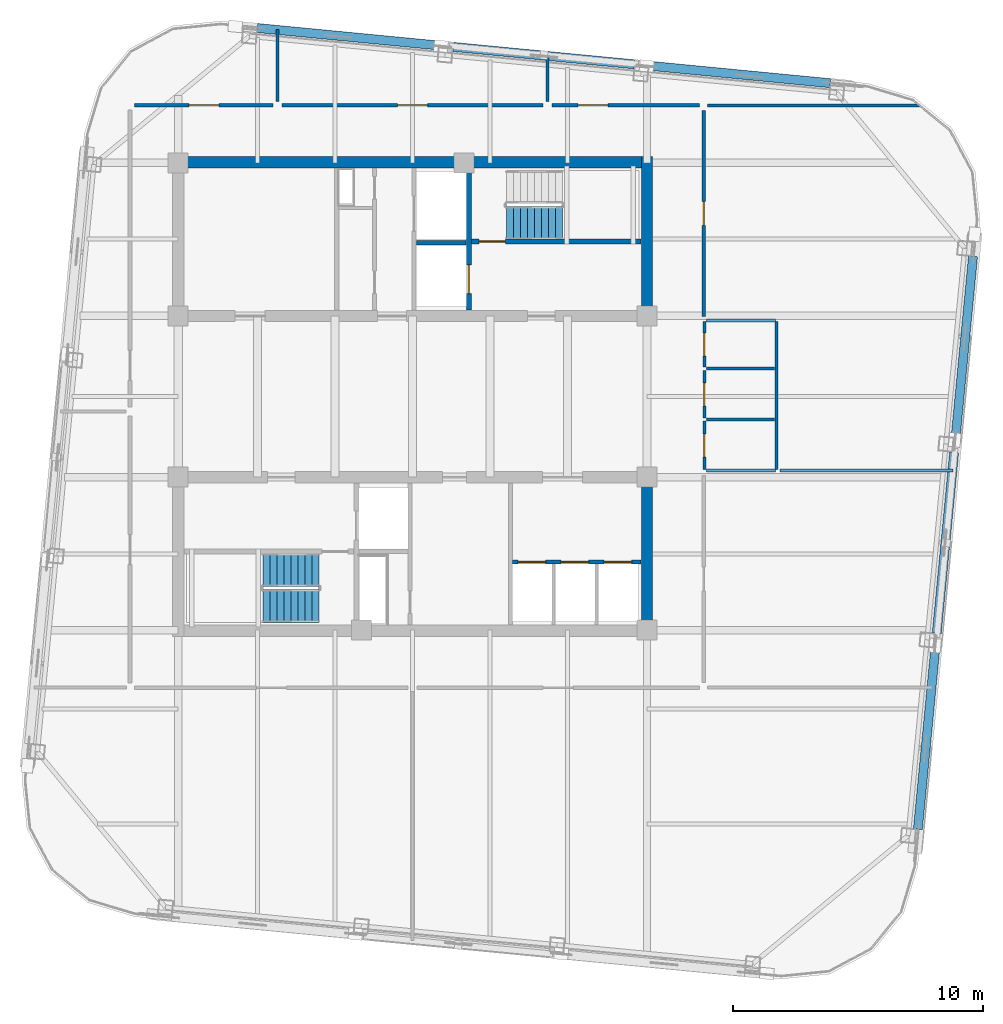
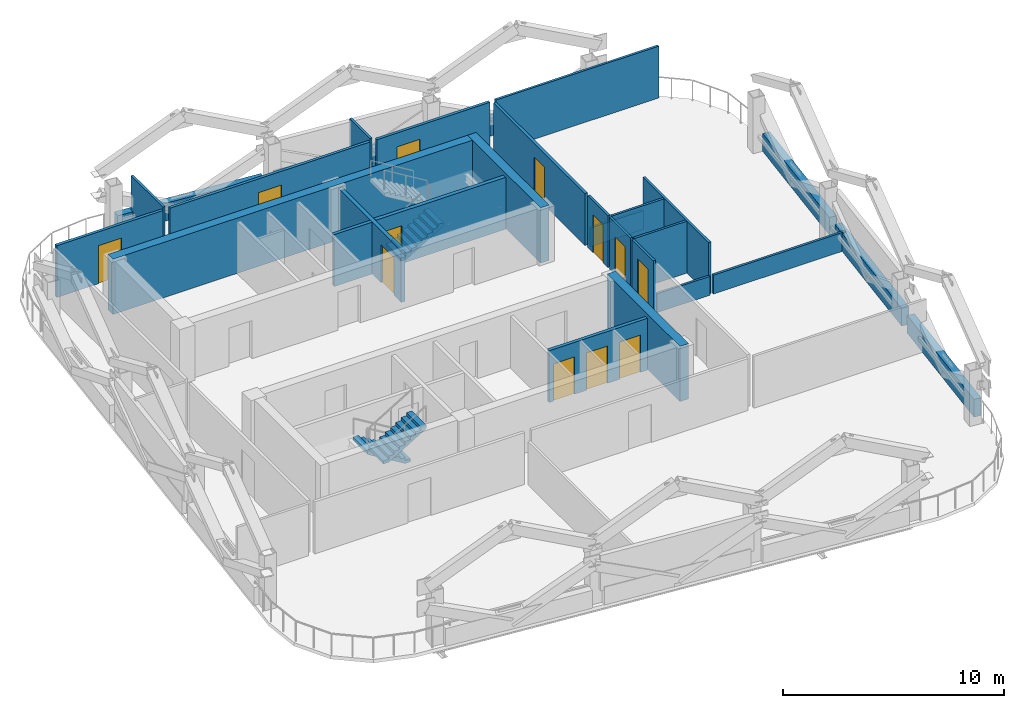
# One storey, part 5 of 10: 29 walls, 12 doors, 3 stair flights, 12 openings, 2 elements without a shape of their own.
"""IFC4 building model written with IfcOpenShell, lengths in metres."""

from ifc_helpers import new_model, si_unit, direction, frame, frame_2d, origin, place, context, subcontext, project, spatial, polyline, rectangle, outline, extrude, material, layer, layer_set, type_object, element, fill, aggregate, save


model = new_model("IFC4")

# Units and contexts
model_context = context("Model", 3, precision=1e-05, world=origin(), true_north=direction((0.0, 1.0)))
body_context = subcontext(model_context, "Body", "Model", "MODEL_VIEW")
ifc_project = project(units=[si_unit("LENGTHUNIT", "METRE"), si_unit("AREAUNIT", "SQUARE_METRE"), si_unit("VOLUMEUNIT", "CUBIC_METRE"), si_unit("PLANEANGLEUNIT", "RADIAN"), si_unit("MASSUNIT", "GRAM", prefix="KILO")], contexts=[model_context])

# Site, building, storey
site_placement = place(None, origin())
site = spatial("IfcSite", under=ifc_project, at=site_placement, CompositionType="ELEMENT")
building_placement = place(site_placement, origin())
building = spatial("IfcBuilding", under=site, at=building_placement, Name="Qhalaya Broadcast Tower", CompositionType="ELEMENT")
storey_placement = place(building_placement, frame((0.0, 0.0, 267.25)))
storey = spatial("IfcBuildingStorey", under=building, at=storey_placement, Name="L79", CompositionType="ELEMENT", Elevation=267.25)

# Wall, opening, door
ifc_material_1 = material(Name="Gypsum Acoustic Partition")
ifc_layer_1 = layer(ifc_material_1, 0.14990234375, Name="Gypsum Acoustic Partition")
ifc_layer_set_1 = layer_set([ifc_layer_1], Name="Gypsum Acoustic Partition")
wall_type_1 = type_object("IfcWallType", Name="Corridor & Tenancy Acoustic Partition 150", PredefinedType="PARTITIONING", material=ifc_layer_set_1)
wall_1_placement = place(storey_placement, frame((-11.1201171875, 12.25, 0.0), z_axis=(0.0, 0.0, 1.0), x_axis=(1.0, 0.0, 0.0)))
wall_1 = element("IfcWall", 1, at=wall_1_placement, inside=storey, type_object=wall_type_1, Name="L79 Partition Wall W-COR-01", PredefinedType="PARTITIONING", context=body_context, shape_type="SweptSolid", body=[
    extrude(rectangle(XDim=5.5400390625, YDim=0.14990234375, at=frame_2d((2.77001953125, 0.0))), origin(), (0.0, 0.0, 1.0), 2.860107421875),
])
opening_1_placement = place(wall_1_placement, frame((2.169921875, 0.0, 0.0)))
opening_1 = element("IfcOpeningElement", 2, at=opening_1_placement, cuts=wall_1, Name="Opening D11", PredefinedType="OPENING", context=body_context, shape_type="SweptSolid", body=[
    extrude(rectangle(XDim=1.199951171875, YDim=2.10009765625, at=frame_2d((0.60009765625, 1.050048828125))), frame((0.0, 0.0869140625, 0.0), z_axis=(0.0, -1.0, 0.0), x_axis=(1.0, 0.0, 0.0)), (0.0, 0.0, 1.0), 0.173828125),
])
ifc_material_2 = material(Name="Anodised Aluminium Glazed Door", Category="aluminium")
door_type_1 = type_object("IfcDoorType", Name="Conference, Boardroom & Studio Control Door D11", OperationType="NOTDEFINED", PredefinedType="DOOR", material=ifc_material_2)
door_1_placement = place(opening_1_placement, origin())
door_1 = element("IfcDoor", 3, at=door_1_placement, inside=storey, type_object=door_type_1, Name="L79 Door D-RM01", OperationType="SINGLE_SWING_LEFT", OverallHeight=2.10009765625, OverallWidth=1.199951171875, PredefinedType="DOOR", context=body_context, shape_type="SweptSolid", body=[
    extrude(rectangle(XDim=1.199951171875, YDim=2.10009765625, at=frame_2d((0.60009765625, 1.050048828125))), frame((0.0, 0.02490234375, 0.0), z_axis=(0.0, -1.0, 0.0), x_axis=(1.0, 0.0, 0.0)), (0.0, 0.0, 1.0), 0.050048828125),
])
fill(opening_1, door_1)

wall_2_placement = place(storey_placement, frame((-5.219970703125, 12.25, 0.0), z_axis=(0.0, 0.0, 1.0), x_axis=(1.0, 0.0, 0.0)))
wall_2 = element("IfcWall", 4, at=wall_2_placement, inside=storey, type_object=wall_type_1, Name="L79 Partition Wall W-COR-02", PredefinedType="PARTITIONING", context=body_context, shape_type="SweptSolid", body=[
    extrude(rectangle(XDim=10.43994140625, YDim=0.14990234375, at=frame_2d((5.219970703125, 0.0))), origin(), (0.0, 0.0, 1.0), 2.860107421875),
])
opening_2_placement = place(wall_2_placement, frame((4.6201171875, 0.0, 0.0)))
opening_2 = element("IfcOpeningElement", 5, at=opening_2_placement, cuts=wall_2, Name="Opening D11", PredefinedType="OPENING", context=body_context, shape_type="SweptSolid", body=[
    extrude(rectangle(XDim=1.199951171875, YDim=2.10009765625, at=frame_2d((0.60009765625, 1.050048828125))), frame((0.0, 0.0869140625, 0.0), z_axis=(0.0, -1.0, 0.0), x_axis=(1.0, 0.0, 0.0)), (0.0, 0.0, 1.0), 0.173828125),
])
door_2_placement = place(opening_2_placement, origin())
door_2 = element("IfcDoor", 6, at=door_2_placement, inside=storey, type_object=door_type_1, Name="L79 Door D-RM02", OperationType="SINGLE_SWING_RIGHT", OverallHeight=2.10009765625, OverallWidth=1.199951171875, PredefinedType="DOOR", context=body_context, shape_type="SweptSolid", body=[
    extrude(rectangle(XDim=1.199951171875, YDim=2.10009765625, at=frame_2d((0.60009765625, 1.050048828125))), frame((0.0, 0.02490234375, 0.0), z_axis=(0.0, -1.0, 0.0), x_axis=(1.0, 0.0, 0.0)), (0.0, 0.0, 1.0), 0.050048828125),
])
fill(opening_2, door_2)

wall_3_placement = place(storey_placement, frame((5.580078125, 12.25, 0.0), z_axis=(0.0, 0.0, 1.0), x_axis=(1.0, 0.0, 0.0)))
wall_3 = element("IfcWall", 7, at=wall_3_placement, inside=storey, type_object=wall_type_1, Name="L79 Partition Wall W-COR-03", PredefinedType="PARTITIONING", context=body_context, shape_type="SweptSolid", body=[
    extrude(rectangle(XDim=5.889892578125, YDim=0.14990234375, at=frame_2d((2.94482421875, 0.0))), origin(), (0.0, 0.0, 1.0), 2.860107421875),
])
opening_3_placement = place(wall_3_placement, frame((1.044921875, 0.0, 0.0)))
opening_3 = element("IfcOpeningElement", 8, at=opening_3_placement, cuts=wall_3, Name="Opening D11", PredefinedType="OPENING", context=body_context, shape_type="SweptSolid", body=[
    extrude(rectangle(XDim=1.199951171875, YDim=2.10009765625, at=frame_2d((0.60009765625, 1.050048828125))), frame((0.0, 0.0869140625, 0.0), z_axis=(0.0, -1.0, 0.0), x_axis=(1.0, 0.0, 0.0)), (0.0, 0.0, 1.0), 0.173828125),
])
door_3_placement = place(opening_3_placement, origin())
door_3 = element("IfcDoor", 9, at=door_3_placement, inside=storey, type_object=door_type_1, Name="L79 Door D-RM03", OperationType="SINGLE_SWING_LEFT", OverallHeight=2.10009765625, OverallWidth=1.199951171875, PredefinedType="DOOR", context=body_context, shape_type="SweptSolid", body=[
    extrude(rectangle(XDim=1.199951171875, YDim=2.10009765625, at=frame_2d((0.60009765625, 1.050048828125))), frame((0.0, 0.02490234375, 0.0), z_axis=(0.0, -1.0, 0.0), x_axis=(1.0, 0.0, 0.0)), (0.0, 0.0, 1.0), 0.050048828125),
])
fill(opening_3, door_3)

wall_4_placement = place(storey_placement, frame((11.64990234375, 3.800048828125, 0.0), z_axis=(0.0, 0.0, 1.0), x_axis=(0.0, 1.0, 0.0)))
wall_4 = element("IfcWall", 10, at=wall_4_placement, inside=storey, type_object=wall_type_1, Name="L79 Partition Wall W-COR-09", PredefinedType="PARTITIONING", context=body_context, shape_type="SweptSolid", body=[
    extrude(rectangle(XDim=8.25, YDim=0.14990234375, at=frame_2d((4.125, 0.0))), origin(), (0.0, 0.0, 1.0), 2.860107421875),
])
opening_4_placement = place(wall_4_placement, frame((3.64990234375, 0.0, 0.0)))
opening_4 = element("IfcOpeningElement", 11, at=opening_4_placement, cuts=wall_4, Name="Opening D10", PredefinedType="OPENING", context=body_context, shape_type="SweptSolid", body=[
    extrude(rectangle(XDim=0.949951171875, YDim=2.10009765625, at=frame_2d((0.47509765625, 1.050048828125))), frame((0.0, 0.0869140625, 0.0), z_axis=(0.0, -1.0, 0.0), x_axis=(1.0, 0.0, 0.0)), (0.0, 0.0, 1.0), 0.173828125),
])
ifc_material_3 = material(Name="Timber Veneer Acoustic Door", Category="wood")
door_type_2 = type_object("IfcDoorType", Name="Cellular Office & Edit Booth Door D10", OperationType="NOTDEFINED", PredefinedType="DOOR", material=ifc_material_3)
door_4_placement = place(opening_4_placement, origin())
door_4 = element("IfcDoor", 12, at=door_4_placement, inside=storey, type_object=door_type_2, Name="L79 Door D-RM09", OperationType="SINGLE_SWING_LEFT", OverallHeight=2.10009765625, OverallWidth=0.949951171875, PredefinedType="DOOR", context=body_context, shape_type="SweptSolid", body=[
    extrude(rectangle(XDim=0.949951171875, YDim=2.10009765625, at=frame_2d((0.47509765625, 1.050048828125))), frame((0.0, 0.02490234375, 0.0), z_axis=(0.0, -1.0, 0.0), x_axis=(1.0, 0.0, 0.0)), (0.0, 0.0, 1.0), 0.050048828125),
])
fill(opening_4, door_4)

# Walls
ifc_material_4 = material(Name="Precast Concrete C40/50", Category="concrete")
ifc_layer_2 = layer(ifc_material_4, 0.360107421875, Name="Precast Concrete C40/50")
ifc_layer_set_2 = layer_set([ifc_layer_2], Name="Precast Concrete C40/50")
wall_type_2 = type_object("IfcWallType", Name="Insulated Precast Terracotta Exterior Wall 360", PredefinedType="SOLIDWALL", material=ifc_layer_set_2)
wall_5_placement = place(storey_placement, frame((22.421142578125, 6.207275390625, 0.0), z_axis=(0.0, 0.0, 1.0), x_axis=(-0.095826806958, -0.995398022435, 0.0)))
element("IfcWall", 13, at=wall_5_placement, inside=storey, type_object=wall_type_2, Name="L79 Exoskeleton Diagrid Infill Wall E1", PredefinedType="SOLIDWALL", context=body_context, shape_type="SweptSolid", body=[
    extrude(rectangle(XDim=7.27880859375, YDim=0.360107421875, at=frame_2d((3.639404296875, 0.0))), origin(), (0.0, 0.0, 1.0), 0.97998046875),
])
wall_6_placement = place(storey_placement, frame((21.666015625, -1.63525390625, 0.0), z_axis=(0.0, 0.0, 1.0), x_axis=(-0.095853887303, -0.995395415043, 0.0)))
element("IfcWall", 14, at=wall_6_placement, inside=storey, type_object=wall_type_2, Name="L79 Exoskeleton Diagrid Infill Wall E2", PredefinedType="SOLIDWALL", context=body_context, shape_type="SweptSolid", body=[
    extrude(rectangle(XDim=7.2666015625, YDim=0.360107421875, at=frame_2d((3.63330078125, 0.0))), origin(), (0.0, 0.0, 1.0), 0.97998046875),
])
wall_7_placement = place(storey_placement, frame((20.912109375, -9.465576171875, 0.0), z_axis=(0.0, 0.0, 1.0), x_axis=(-0.095863240394, -0.995394514321, 0.0)))
element("IfcWall", 15, at=wall_7_placement, inside=storey, type_object=wall_type_2, Name="L79 Exoskeleton Diagrid Infill Wall E3", PredefinedType="SOLIDWALL", context=body_context, shape_type="SweptSolid", body=[
    extrude(rectangle(XDim=7.278564453125, YDim=0.360107421875, at=frame_2d((3.63916015625, 0.0))), origin(), (0.0, 0.0, 1.0), 0.97998046875),
])
wall_8_placement = place(storey_placement, frame((-6.207275390625, 15.34130859375, 0.0), z_axis=(0.0, 0.0, 1.0), x_axis=(0.99539482255, -0.095860039857, 0.0)))
element("IfcWall", 16, at=wall_8_placement, inside=storey, type_object=wall_type_2, Name="L79 Exoskeleton Diagrid Infill Wall N1", PredefinedType="SOLIDWALL", context=body_context, shape_type="SweptSolid", body=[
    extrude(rectangle(XDim=7.27880859375, YDim=0.360107421875, at=frame_2d((3.639404296875, 0.0))), origin(), (0.0, 0.0, 1.0), 0.97998046875),
])
wall_9_placement = place(storey_placement, frame((1.63525390625, 14.5859375, 0.0), z_axis=(0.0, 0.0, 1.0), x_axis=(0.995398620126, -0.095820598258, 0.0)))
element("IfcWall", 17, at=wall_9_placement, inside=storey, type_object=wall_type_2, Name="L79 Exoskeleton Diagrid Infill Wall N2", PredefinedType="SOLIDWALL", context=body_context, shape_type="SweptSolid", body=[
    extrude(rectangle(XDim=7.2666015625, YDim=0.360107421875, at=frame_2d((3.63330078125, 0.0))), origin(), (0.0, 0.0, 1.0), 0.97998046875),
])
wall_10_placement = place(storey_placement, frame((9.465576171875, 13.83203125, 0.0), z_axis=(0.0, 0.0, 1.0), x_axis=(0.99539771442, -0.095830006406, 0.0)))
element("IfcWall", 18, at=wall_10_placement, inside=storey, type_object=wall_type_2, Name="L79 Exoskeleton Diagrid Infill Wall N3", PredefinedType="SOLIDWALL", context=body_context, shape_type="SweptSolid", body=[
    extrude(rectangle(XDim=7.278564453125, YDim=0.360107421875, at=frame_2d((3.63916015625, 0.0))), origin(), (0.0, 0.0, 1.0), 0.97998046875),
])

# Wall, opening, door
ifc_material_5 = material(Name="Concrete C50/60", Category="concrete")
ifc_layer_3 = layer(ifc_material_5, 0.199951171875, Name="Concrete C50/60")
ifc_layer_set_3 = layer_set([ifc_layer_3], Name="Concrete C50/60")
wall_type_3 = type_object("IfcWallType", Name="Load-Bearing Stair Shaft Wall 200", PredefinedType="SHEAR", material=ifc_layer_set_3)
wall_11_placement = place(storey_placement, frame((2.360107421875, 6.804931640625, 0.0), z_axis=(0.0, 0.0, 1.0), x_axis=(1.0, 0.0, 0.0)))
wall_11 = element("IfcWall", 19, at=wall_11_placement, inside=storey, type_object=wall_type_3, Name="L79 Stair Core Shear Wall NCW-ST1", PredefinedType="SHEAR", context=body_context, shape_type="SweptSolid", body=[
    extrude(rectangle(XDim=6.769775390625, YDim=0.199951171875, at=frame_2d((3.384765625, 0.0))), origin(), (0.0, 0.0, 1.0), 2.860107421875),
])
opening_5_placement = place(wall_11_placement, frame((0.300048828125, 0.0, 0.0)))
opening_5 = element("IfcOpeningElement", 20, at=opening_5_placement, cuts=wall_11, Name="Opening D03", PredefinedType="OPENING", context=body_context, shape_type="SweptSolid", body=[
    extrude(rectangle(XDim=1.050048828125, YDim=2.080078125, at=frame_2d((0.52490234375, 1.0400390625))), frame((0.0, 0.112060546875, 0.0), z_axis=(0.0, -1.0, 0.0), x_axis=(1.0, 0.0, 0.0)), (0.0, 0.0, 1.0), 0.223876953125),
])
ifc_material_6 = material(Name="Fire-Rated Steel Door", Category="steel")
door_type_3 = type_object("IfcDoorType", Name="Core Stair Protected Fire Door D03", OperationType="NOTDEFINED", PredefinedType="DOOR", material=ifc_material_6)
door_5_placement = place(opening_5_placement, origin())
door_5 = element("IfcDoor", 21, at=door_5_placement, inside=storey, type_object=door_type_3, Name="L79 Door D-NST1", OperationType="SINGLE_SWING_LEFT", OverallHeight=2.080078125, OverallWidth=1.050048828125, PredefinedType="DOOR", context=body_context, shape_type="SweptSolid", body=[
    extrude(rectangle(XDim=1.050048828125, YDim=2.080078125, at=frame_2d((0.52490234375, 1.0400390625))), frame((0.0, 0.02490234375, 0.0), z_axis=(0.0, -1.0, 0.0), x_axis=(1.0, 0.0, 0.0)), (0.0, 0.0, 1.0), 0.050048828125),
])
fill(opening_5, door_5)

wall_12_placement = place(storey_placement, frame((2.25, 4.070068359375, 0.0), z_axis=(0.0, 0.0, 1.0), x_axis=(0.0, 1.0, 0.0)))
wall_12 = element("IfcWall", 22, at=wall_12_placement, inside=storey, type_object=wall_type_3, Name="L79 Stair Core Shear Wall NCW-FF", PredefinedType="SHEAR", context=body_context, shape_type="SweptSolid", body=[
    extrude(rectangle(XDim=5.659912109375, YDim=0.199951171875, at=frame_2d((2.830078125, 0.0))), origin(), (0.0, 0.0, 1.0), 2.860107421875),
])
opening_6_placement = place(wall_12_placement, frame((0.64990234375, 0.0, 0.0)))
opening_6 = element("IfcOpeningElement", 23, at=opening_6_placement, cuts=wall_12, Name="Opening LD2", PredefinedType="OPENING", context=body_context, shape_type="SweptSolid", body=[
    extrude(rectangle(XDim=1.14990234375, YDim=2.080078125, at=frame_2d((0.574951171875, 1.0400390625))), frame((0.0, 0.112060546875, 0.0), z_axis=(0.0, -1.0, 0.0), x_axis=(1.0, 0.0, 0.0)), (0.0, 0.0, 1.0), 0.223876953125),
])
ifc_material_7 = material(Name="Brushed Stainless Steel Lift Door", Category="steel")
door_type_4 = type_object("IfcDoorType", Name="Firefighting Lift Sliding Landing Door LD2", OperationType="DOUBLE_DOOR_SLIDING", PredefinedType="DOOR", material=ifc_material_7)
door_6_placement = place(opening_6_placement, origin())
door_6 = element("IfcDoor", 24, at=door_6_placement, inside=storey, type_object=door_type_4, Name="L79 Door LD-FF1", OperationType="DOUBLE_DOOR_SLIDING", OverallHeight=2.080078125, OverallWidth=1.14990234375, PredefinedType="DOOR", context=body_context, shape_type="SweptSolid", body=[
    extrude(rectangle(XDim=1.14990234375, YDim=2.080078125, at=frame_2d((0.574951171875, 1.0400390625))), frame((0.0, 0.02490234375, 0.0), z_axis=(0.0, -1.0, 0.0), x_axis=(1.0, 0.0, 0.0)), (0.0, 0.0, 1.0), 0.050048828125),
])
fill(opening_6, door_6)

ifc_layer_4 = layer(ifc_material_1, 0.1201171875, Name="Gypsum Acoustic Partition")
ifc_layer_set_4 = layer_set([ifc_layer_4], Name="Gypsum Acoustic Partition")
wall_type_4 = type_object("IfcWallType", Name="Office, Booth & Sanitary Partition 120", PredefinedType="PARTITIONING", material=ifc_layer_set_4)
wall_13_placement = place(storey_placement, frame((11.669921875, -2.320068359375, 0.0), z_axis=(0.0, 0.0, 1.0), x_axis=(0.0, 1.0, 0.0)))
wall_13 = element("IfcWall", 25, at=wall_13_placement, inside=storey, type_object=wall_type_4, Name="L79 Partition Wall W-WCWA", PredefinedType="PARTITIONING", context=body_context, shape_type="SweptSolid", body=[
    extrude(rectangle(XDim=1.940185546875, YDim=0.1201171875, at=frame_2d((0.97021484375, 0.0))), origin(), (0.0, 0.0, 1.0), 2.860107421875),
])
opening_7_placement = place(wall_13_placement, frame((0.4951171875, 0.0, 0.0)))
opening_7 = element("IfcOpeningElement", 26, at=opening_7_placement, cuts=wall_13, Name="Opening D12", PredefinedType="OPENING", context=body_context, shape_type="SweptSolid", body=[
    extrude(rectangle(XDim=0.919921875, YDim=2.10009765625, at=frame_2d((0.4599609375, 1.050048828125))), frame((0.0, 0.072021484375, 0.0), z_axis=(0.0, -1.0, 0.0), x_axis=(1.0, 0.0, 0.0)), (0.0, 0.0, 1.0), 0.14404296875),
])
door_type_5 = type_object("IfcDoorType", Name="Accessible WC & Restroom Door D12", OperationType="NOTDEFINED", PredefinedType="DOOR", material=ifc_material_3)
door_7_placement = place(opening_7_placement, origin())
door_7 = element("IfcDoor", 27, at=door_7_placement, inside=storey, type_object=door_type_5, Name="L79 Door D-WCA", OperationType="SINGLE_SWING_LEFT", OverallHeight=2.10009765625, OverallWidth=0.919921875, PredefinedType="DOOR", context=body_context, shape_type="SweptSolid", body=[
    extrude(rectangle(XDim=0.919921875, YDim=2.10009765625, at=frame_2d((0.4599609375, 1.050048828125))), frame((0.0, 0.02490234375, 0.0), z_axis=(0.0, -1.0, 0.0), x_axis=(1.0, 0.0, 0.0)), (0.0, 0.0, 1.0), 0.050048828125),
])
fill(opening_7, door_7)

wall_14_placement = place(storey_placement, frame((11.669921875, -0.25, 0.0), z_axis=(0.0, 0.0, 1.0), x_axis=(0.0, 1.0, 0.0)))
wall_14 = element("IfcWall", 28, at=wall_14_placement, inside=storey, type_object=wall_type_4, Name="L79 Partition Wall W-WCWM", PredefinedType="PARTITIONING", context=body_context, shape_type="SweptSolid", body=[
    extrude(rectangle(XDim=1.89990234375, YDim=0.1201171875, at=frame_2d((0.949951171875, 0.0))), origin(), (0.0, 0.0, 1.0), 2.860107421875),
])
opening_8_placement = place(wall_14_placement, frame((0.47509765625, 0.0, 0.0)))
opening_8 = element("IfcOpeningElement", 29, at=opening_8_placement, cuts=wall_14, Name="Opening D12", PredefinedType="OPENING", context=body_context, shape_type="SweptSolid", body=[
    extrude(rectangle(XDim=0.919921875, YDim=2.10009765625, at=frame_2d((0.4599609375, 1.050048828125))), frame((0.0, 0.072021484375, 0.0), z_axis=(0.0, -1.0, 0.0), x_axis=(1.0, 0.0, 0.0)), (0.0, 0.0, 1.0), 0.14404296875),
])
door_8_placement = place(opening_8_placement, origin())
door_8 = element("IfcDoor", 30, at=door_8_placement, inside=storey, type_object=door_type_5, Name="L79 Door D-WCM", OperationType="SINGLE_SWING_RIGHT", OverallHeight=2.10009765625, OverallWidth=0.919921875, PredefinedType="DOOR", context=body_context, shape_type="SweptSolid", body=[
    extrude(rectangle(XDim=0.919921875, YDim=2.10009765625, at=frame_2d((0.4599609375, 1.050048828125))), frame((0.0, 0.02490234375, 0.0), z_axis=(0.0, -1.0, 0.0), x_axis=(1.0, 0.0, 0.0)), (0.0, 0.0, 1.0), 0.050048828125),
])
fill(opening_8, door_8)

wall_15_placement = place(storey_placement, frame((11.669921875, 1.780029296875, 0.0), z_axis=(0.0, 0.0, 1.0), x_axis=(0.0, 1.0, 0.0)))
wall_15 = element("IfcWall", 31, at=wall_15_placement, inside=storey, type_object=wall_type_4, Name="L79 Partition Wall W-WCWF", PredefinedType="PARTITIONING", context=body_context, shape_type="SweptSolid", body=[
    extrude(rectangle(XDim=1.830078125, YDim=0.1201171875, at=frame_2d((0.9150390625, 0.0))), origin(), (0.0, 0.0, 1.0), 2.860107421875),
])
opening_9_placement = place(wall_15_placement, frame((0.43994140625, 0.0, 0.0)))
opening_9 = element("IfcOpeningElement", 32, at=opening_9_placement, cuts=wall_15, Name="Opening D12", PredefinedType="OPENING", context=body_context, shape_type="SweptSolid", body=[
    extrude(rectangle(XDim=0.919921875, YDim=2.10009765625, at=frame_2d((0.4599609375, 1.050048828125))), frame((0.0, 0.072021484375, 0.0), z_axis=(0.0, -1.0, 0.0), x_axis=(1.0, 0.0, 0.0)), (0.0, 0.0, 1.0), 0.14404296875),
])
door_9_placement = place(opening_9_placement, origin())
door_9 = element("IfcDoor", 33, at=door_9_placement, inside=storey, type_object=door_type_5, Name="L79 Door D-WCF", OperationType="SINGLE_SWING_LEFT", OverallHeight=2.10009765625, OverallWidth=0.919921875, PredefinedType="DOOR", context=body_context, shape_type="SweptSolid", body=[
    extrude(rectangle(XDim=0.919921875, YDim=2.10009765625, at=frame_2d((0.4599609375, 1.050048828125))), frame((0.0, 0.02490234375, 0.0), z_axis=(0.0, -1.0, 0.0), x_axis=(1.0, 0.0, 0.0)), (0.0, 0.0, 1.0), 0.050048828125),
])
fill(opening_9, door_9)

# Walls
wall_16_placement = place(storey_placement, frame((14.550048828125, -2.320068359375, 0.0), z_axis=(0.0, 0.0, 1.0), x_axis=(0.0, 1.0, 0.0)))
element("IfcWall", 34, at=wall_16_placement, inside=storey, type_object=wall_type_4, Name="L79 Partition Wall W-WCE", PredefinedType="PARTITIONING", context=body_context, shape_type="SweptSolid", body=[
    extrude(rectangle(XDim=5.93017578125, YDim=0.1201171875, at=frame_2d((2.965087890625, 0.0))), origin(), (0.0, 0.0, 1.0), 2.860107421875),
])
for number, where, z_axis, x_axis, name in (
    (35, (11.760009765625, -2.35009765625, 0.0), (0.0, 0.0, 1.0), (1.0, 0.0, 0.0), "L79 Partition Wall W-WCS"),
    (36, (11.760009765625, 3.639892578125, 0.0), (0.0, 0.0, 1.0), (1.0, 0.0, 0.0), "L79 Partition Wall W-WCN"),
):
    element("IfcWall", number, at=place(storey_placement, frame(where, z_axis=z_axis, x_axis=x_axis)), inside=storey, type_object=wall_type_4, Name=name, PredefinedType="PARTITIONING", context=body_context, shape_type="SweptSolid", body=[
        extrude(rectangle(XDim=2.760009765625, YDim=0.1201171875, at=frame_2d((1.3798828125, 0.0))), origin(), (0.0, 0.0, 1.0), 1.0400390625),
    ])
for number, where, z_axis, x_axis, name in (
    (37, (11.760009765625, -0.320068359375, 0.0), (0.0, 0.0, 1.0), (1.0, 0.0, 0.0), "L79 Partition Wall W-WCD1"),
    (38, (11.760009765625, 1.719970703125, 0.0), (0.0, 0.0, 1.0), (1.0, 0.0, 0.0), "L79 Partition Wall W-WCD2"),
):
    element("IfcWall", number, at=place(storey_placement, frame(where, z_axis=z_axis, x_axis=x_axis)), inside=storey, type_object=wall_type_4, Name=name, PredefinedType="PARTITIONING", context=body_context, shape_type="SweptSolid", body=[
        extrude(rectangle(XDim=2.719970703125, YDim=0.1201171875, at=frame_2d((1.35986328125, 0.0))), origin(), (0.0, 0.0, 1.0), 2.860107421875),
    ])
wall_17_placement = place(storey_placement, frame((11.7900390625, 12.25, 0.0), z_axis=(0.0, 0.0, 1.0), x_axis=(1.0, 0.0, 0.0)))
element("IfcWall", 39, at=wall_17_placement, inside=storey, type_object=wall_type_4, Name="L79 Partition Wall W-BNDE1", PredefinedType="PARTITIONING", context=body_context, shape_type="SweptSolid", body=[
    extrude(rectangle(XDim=8.484130859375, YDim=0.1201171875, at=frame_2d((4.2421875, 0.0))), origin(), (0.0, 0.0, 1.0), 2.860107421875),
])
wall_18_placement = place(storey_placement, frame((-5.39990234375, 12.409912109375, 0.0), z_axis=(0.0, 0.0, 1.0), x_axis=(0.0, 1.0, 0.0)))
element("IfcWall", 40, at=wall_18_placement, inside=storey, type_object=wall_type_4, Name="L79 Partition Wall W-DIVN1", PredefinedType="PARTITIONING", context=body_context, shape_type="SweptSolid", body=[
    extrude(rectangle(XDim=2.87353515625, YDim=0.1201171875, at=frame_2d((1.436767578125, 0.0))), origin(), (0.0, 0.0, 1.0), 2.860107421875),
])
wall_19_placement = place(storey_placement, frame((5.39990234375, 12.409912109375, 0.0), z_axis=(0.0, 0.0, 1.0), x_axis=(0.0, 1.0, 0.0)))
element("IfcWall", 41, at=wall_19_placement, inside=storey, type_object=wall_type_4, Name="L79 Partition Wall W-DIVN2", PredefinedType="PARTITIONING", context=body_context, shape_type="SweptSolid", body=[
    extrude(rectangle(XDim=1.833740234375, YDim=0.1201171875, at=frame_2d((0.9169921875, 0.0))), origin(), (0.0, 0.0, 1.0), 2.860107421875),
])
wall_20_placement = place(storey_placement, frame((14.68994140625, -2.35009765625, 0.0), z_axis=(0.0, 0.0, 1.0), x_axis=(1.0, 0.0, 0.0)))
element("IfcWall", 42, at=wall_20_placement, inside=storey, type_object=wall_type_4, Name="L79 Partition Wall W-DIVE-WC", PredefinedType="PARTITIONING", context=body_context, shape_type="SweptSolid", body=[
    extrude(rectangle(XDim=6.92724609375, YDim=0.1201171875, at=frame_2d((3.463623046875, 0.0))), origin(), (0.0, 0.0, 1.0), 1.0400390625),
])
ifc_layer_5 = layer(ifc_material_1, 0.175048828125, Name="Gypsum Acoustic Partition")
ifc_layer_set_5 = layer_set([ifc_layer_5], Name="Gypsum Acoustic Partition")
wall_type_5 = type_object("IfcWallType", Name="Shaft & Riser Fire Partition 175", PredefinedType="PARTITIONING", material=ifc_layer_set_5)
wall_21_placement = place(storey_placement, frame((0.159912109375, 6.75, 0.0), z_axis=(0.0, 0.0, 1.0), x_axis=(1.0, 0.0, 0.0)))
element("IfcWall", 43, at=wall_21_placement, inside=storey, type_object=wall_type_5, Name="L79 Partition Wall NCW-SVM", PredefinedType="PARTITIONING", context=body_context, shape_type="SweptSolid", body=[
    extrude(rectangle(XDim=1.97998046875, YDim=0.175048828125, at=frame_2d((0.989990234375, 0.0))), origin(), (0.0, 0.0, 1.0), 2.860107421875),
])

# Wall, openings, doors
wall_22_placement = place(storey_placement, frame((4.0, -6.02001953125, 0.0), z_axis=(0.0, 0.0, 1.0), x_axis=(1.0, 0.0, 0.0)))
wall_22 = element("IfcWall", 44, at=wall_22_placement, inside=storey, type_object=wall_type_5, Name="L79 Partition Wall SCW-SLB", PredefinedType="PARTITIONING", context=body_context, shape_type="SweptSolid", body=[
    extrude(rectangle(XDim=5.1298828125, YDim=0.175048828125, at=frame_2d((2.56494140625, 0.0))), origin(), (0.0, 0.0, 1.0), 2.860107421875),
])
opening_10_placement = place(wall_22_placement, frame((0.219970703125, 0.0, 0.0)))
opening_10 = element("IfcOpeningElement", 45, at=opening_10_placement, cuts=wall_22, Name="Opening LD1", PredefinedType="OPENING", context=body_context, shape_type="SweptSolid", body=[
    extrude(rectangle(XDim=1.10009765625, YDim=2.06005859375, at=frame_2d((0.550048828125, 1.030029296875))), frame((0.0, 0.099609375, 0.0), z_axis=(0.0, -1.0, 0.0), x_axis=(1.0, 0.0, 0.0)), (0.0, 0.0, 1.0), 0.198974609375),
])
opening_11_placement = place(wall_22_placement, frame((1.93994140625, 0.0, 0.0)))
opening_11 = element("IfcOpeningElement", 46, at=opening_11_placement, cuts=wall_22, Name="Opening LD1", PredefinedType="OPENING", context=body_context, shape_type="SweptSolid", body=[
    extrude(rectangle(XDim=1.10009765625, YDim=2.06005859375, at=frame_2d((0.550048828125, 1.030029296875))), frame((0.0, 0.099609375, 0.0), z_axis=(0.0, -1.0, 0.0), x_axis=(1.0, 0.0, 0.0)), (0.0, 0.0, 1.0), 0.198974609375),
])
opening_12_placement = place(wall_22_placement, frame((3.659912109375, 0.0, 0.0)))
opening_12 = element("IfcOpeningElement", 47, at=opening_12_placement, cuts=wall_22, Name="Opening LD1", PredefinedType="OPENING", context=body_context, shape_type="SweptSolid", body=[
    extrude(rectangle(XDim=1.10009765625, YDim=2.06005859375, at=frame_2d((0.550048828125, 1.030029296875))), frame((0.0, 0.099609375, 0.0), z_axis=(0.0, -1.0, 0.0), x_axis=(1.0, 0.0, 0.0)), (0.0, 0.0, 1.0), 0.198974609375),
])
door_type_6 = type_object("IfcDoorType", Name="Passenger Lift Sliding Landing Door LD1", OperationType="DOUBLE_DOOR_SLIDING", PredefinedType="DOOR", material=ifc_material_7)
door_10_placement = place(opening_10_placement, origin())
door_10 = element("IfcDoor", 48, at=door_10_placement, inside=storey, type_object=door_type_6, Name="L79 Door LD-P6", OperationType="DOUBLE_DOOR_SLIDING", OverallHeight=2.06005859375, OverallWidth=1.10009765625, PredefinedType="DOOR", context=body_context, shape_type="SweptSolid", body=[
    extrude(rectangle(XDim=1.10009765625, YDim=2.06005859375, at=frame_2d((0.550048828125, 1.030029296875))), frame((0.0, 0.02490234375, 0.0), z_axis=(0.0, -1.0, 0.0), x_axis=(1.0, 0.0, 0.0)), (0.0, 0.0, 1.0), 0.050048828125),
])
fill(opening_10, door_10)
door_11_placement = place(opening_11_placement, origin())
door_11 = element("IfcDoor", 49, at=door_11_placement, inside=storey, type_object=door_type_6, Name="L79 Door LD-P7", OperationType="DOUBLE_DOOR_SLIDING", OverallHeight=2.06005859375, OverallWidth=1.10009765625, PredefinedType="DOOR", context=body_context, shape_type="SweptSolid", body=[
    extrude(rectangle(XDim=1.10009765625, YDim=2.06005859375, at=frame_2d((0.550048828125, 1.030029296875))), frame((0.0, 0.02490234375, 0.0), z_axis=(0.0, -1.0, 0.0), x_axis=(1.0, 0.0, 0.0)), (0.0, 0.0, 1.0), 0.050048828125),
])
fill(opening_11, door_11)
door_12_placement = place(opening_12_placement, origin())
door_12 = element("IfcDoor", 50, at=door_12_placement, inside=storey, type_object=door_type_6, Name="L79 Door LD-P8", OperationType="DOUBLE_DOOR_SLIDING", OverallHeight=2.06005859375, OverallWidth=1.10009765625, PredefinedType="DOOR", context=body_context, shape_type="SweptSolid", body=[
    extrude(rectangle(XDim=1.10009765625, YDim=2.06005859375, at=frame_2d((0.550048828125, 1.030029296875))), frame((0.0, 0.02490234375, 0.0), z_axis=(0.0, -1.0, 0.0), x_axis=(1.0, 0.0, 0.0)), (0.0, 0.0, 1.0), 0.050048828125),
])
fill(opening_12, door_12)

# Walls
ifc_layer_6 = layer(ifc_material_5, 0.449951171875, Name="Concrete C50/60")
ifc_layer_set_6 = layer_set([ifc_layer_6], Name="Concrete C50/60")
wall_type_6 = type_object("IfcWallType", Name="Upper Split-Core Shear Wall 450", PredefinedType="SHEAR", material=ifc_layer_set_6)
wall_23_placement = place(storey_placement, frame((-9.60009765625, 9.97509765625, 0.0), z_axis=(0.0, 0.0, 1.0), x_axis=(1.0, 0.0, 0.0)))
element("IfcWall", 51, at=wall_23_placement, inside=storey, type_object=wall_type_6, Name="L79 Split-Core Shear Wall CW-NN", PredefinedType="SHEAR", context=body_context, shape_type="SweptSolid", body=[
    extrude(rectangle(XDim=19.2001953125, YDim=0.449951171875, at=frame_2d((9.60009765625, 0.0))), origin(), (0.0, 0.0, 1.0), 3.050048828125),
])
wall_24_placement = place(storey_placement, frame((9.375, 3.60009765625, 0.0), z_axis=(0.0, 0.0, 1.0), x_axis=(0.0, 1.0, 0.0)))
element("IfcWall", 52, at=wall_24_placement, inside=storey, type_object=wall_type_6, Name="L79 Split-Core Shear Wall CW-NE", PredefinedType="SHEAR", context=body_context, shape_type="SweptSolid", body=[
    extrude(rectangle(XDim=6.599853515625, YDim=0.449951171875, at=frame_2d((3.2998046875, 0.0))), origin(), (0.0, 0.0, 1.0), 3.050048828125),
])
wall_25_placement = place(storey_placement, frame((9.375, -9.0, 0.0), z_axis=(0.0, 0.0, 1.0), x_axis=(0.0, 1.0, 0.0)))
element("IfcWall", 53, at=wall_25_placement, inside=storey, type_object=wall_type_6, Name="L79 Split-Core Shear Wall CW-SE", PredefinedType="SHEAR", context=body_context, shape_type="SweptSolid", body=[
    extrude(rectangle(XDim=6.60009765625, YDim=0.449951171875, at=frame_2d((3.300048828125, 0.0))), origin(), (0.0, 0.0, 1.0), 3.050048828125),
])

# Stair, stair flight
ifc_material_8 = material(Name="Concrete C40/50", Category="concrete")
stair_type = type_object("IfcStairType", Name="Protected Dogleg Core Stair 3150", PredefinedType="TWO_STRAIGHT_RUN_STAIR", material=ifc_material_8)
stair_1_placement = place(storey_placement, origin())
stair_1 = element("IfcStair", 54, at=stair_1_placement, inside=storey, type_object=stair_type, Name="L79 North Core Exit Stair ST-1", PredefinedType="TWO_STRAIGHT_RUN_STAIR")
stair_flight_type = type_object("IfcStairFlightType", Name="Precast Concrete Stair Flight 3150", PredefinedType="STRAIGHT", material=ifc_material_4)
stair_flight_1_placement = place(storey_placement, frame((3.75, 7.5400390625, 0.0), z_axis=(0.0, 0.0, 1.0), x_axis=(1.0, 0.0, 0.0)))
stair_flight_1 = element("IfcStairFlight", 55, at=stair_flight_1_placement, type_object=stair_flight_type, Name="ST-1 flight 1", NumberOfRisers=9, NumberOfTreads=8, PredefinedType="STRAIGHT", RiserHeight=0.169444444, TreadLength=0.28, context=body_context, shape_type="SweptSolid", body=[
    extrude(outline(polyline([(0.0, 0.0), (0.0, 0.16943359375), (0.280029296875, 0.16943359375), (0.280029296875, 0.3388671875), (0.56005859375, 0.3388671875), (0.56005859375, 0.50830078125), (0.840087890625, 0.50830078125), (0.840087890625, 0.677734375), (1.1201171875, 0.677734375), (1.1201171875, 0.84716796875), (1.39990234375, 0.84716796875), (1.39990234375, 1.0166015625), (1.679931640625, 1.0166015625), (1.679931640625, 1.18603515625), (1.9599609375, 1.18603515625), (1.9599609375, 1.35546875), (2.239990234375, 1.35546875), (2.239990234375, 1.52490234375), (2.239990234375, 1.180419921875), (0.28955078125, 0.0), (0.0, 0.0)])), frame((0.0, 0.66015625, 0.0), z_axis=(0.0, -1.0, 0.0), x_axis=(1.0, 0.0, 0.0)), (0.0, 0.0, 1.0), 1.320068359375),
])
aggregate(stair_1, [stair_flight_1])

# Stair, stair flights
stair_2_placement = place(storey_placement, origin())
stair_2 = element("IfcStair", 56, at=stair_2_placement, inside=storey, type_object=stair_type, Name="L79 South Core Exit Stair ST-2", PredefinedType="TWO_STRAIGHT_RUN_STAIR")
stair_flight_2_placement = place(storey_placement, frame((-3.75, -6.340087890625, 0.0), z_axis=(0.0, 0.0, 1.0), x_axis=(-1.0, 0.0, 0.0)))
stair_flight_2 = element("IfcStairFlight", 57, at=stair_flight_2_placement, type_object=stair_flight_type, Name="ST-2 flight 1", NumberOfRisers=9, NumberOfTreads=8, PredefinedType="STRAIGHT", RiserHeight=0.169444444, TreadLength=0.28, context=body_context, shape_type="SweptSolid", body=[
    extrude(outline(polyline([(0.0, 0.0), (0.0, 0.16943359375), (0.280029296875, 0.16943359375), (0.280029296875, 0.3388671875), (0.56005859375, 0.3388671875), (0.56005859375, 0.50830078125), (0.840087890625, 0.50830078125), (0.840087890625, 0.677734375), (1.1201171875, 0.677734375), (1.1201171875, 0.84716796875), (1.39990234375, 0.84716796875), (1.39990234375, 1.0166015625), (1.679931640625, 1.0166015625), (1.679931640625, 1.18603515625), (1.9599609375, 1.18603515625), (1.9599609375, 1.35546875), (2.239990234375, 1.35546875), (2.239990234375, 1.52490234375), (2.239990234375, 1.180419921875), (0.28955078125, 0.0), (0.0, 0.0)])), frame((0.0, 0.66015625, 0.0), z_axis=(0.0, -1.0, 0.0), x_axis=(1.0, 0.0, 0.0)), (0.0, 0.0, 1.0), 1.320068359375),
])
stair_flight_3_placement = place(storey_placement, frame((-5.989990234375, -7.780029296875, 1.52490234375), z_axis=(0.0, 0.0, 1.0), x_axis=(1.0, 0.0, 0.0)))
stair_flight_3 = element("IfcStairFlight", 58, at=stair_flight_3_placement, type_object=stair_flight_type, Name="ST-2 flight 2", NumberOfRisers=9, NumberOfTreads=8, PredefinedType="STRAIGHT", RiserHeight=0.169444444, TreadLength=0.28, context=body_context, shape_type="SweptSolid", body=[
    extrude(outline(polyline([(0.0, 0.0), (0.0, 0.16943359375), (0.280029296875, 0.16943359375), (0.280029296875, 0.3388671875), (0.56005859375, 0.3388671875), (0.56005859375, 0.50830078125), (0.840087890625, 0.50830078125), (0.840087890625, 0.677734375), (1.1201171875, 0.677734375), (1.1201171875, 0.84716796875), (1.39990234375, 0.84716796875), (1.39990234375, 1.0166015625), (1.679931640625, 1.0166015625), (1.679931640625, 1.18603515625), (1.9599609375, 1.18603515625), (1.9599609375, 1.35546875), (2.239990234375, 1.35546875), (2.239990234375, 1.52490234375), (2.239990234375, 1.180419921875), (0.28955078125, 0.0), (0.0, 0.0)])), frame((0.0, 0.66015625, 0.0), z_axis=(0.0, -1.0, 0.0), x_axis=(1.0, 0.0, 0.0)), (0.0, 0.0, 1.0), 1.320068359375),
])
aggregate(stair_2, [stair_flight_2, stair_flight_3])

save(model, "model.ifc")
